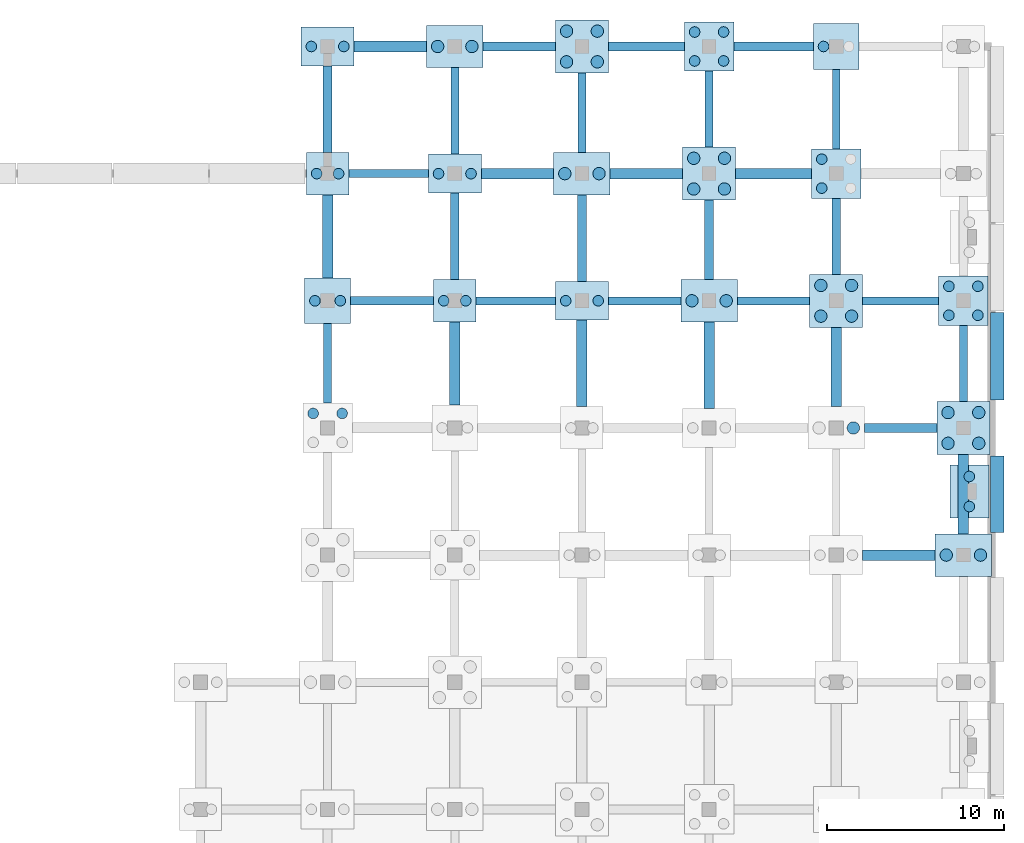
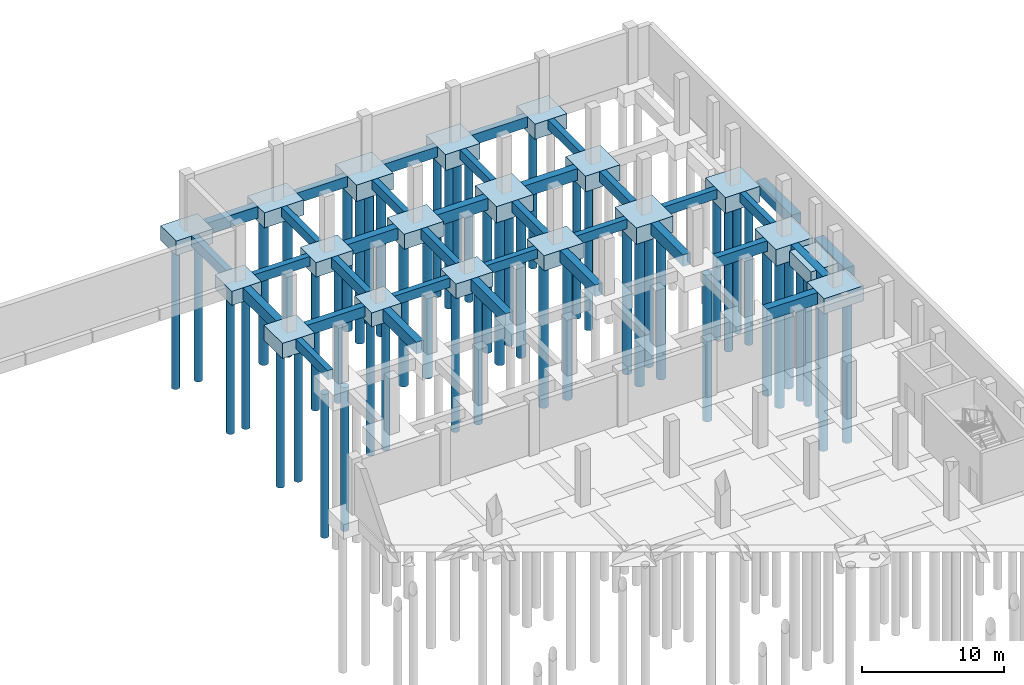
# One storey, part 15 of 38: 53 footings, 52 piles.
"""IFC4 building model written with IfcOpenShell, lengths in metres."""

from ifc_helpers import new_model, si_unit, direction, frame, origin, origin_2d, place, context, subcontext, project, spatial, rectangle, circle, extrude, material, material_profile, profile_set, type_object, element, save


model = new_model("IFC4")

# Units and contexts
model_context = context("Model", 3, precision=1e-05, world=origin(), true_north=direction((0.0, 1.0)))
body_context = subcontext(model_context, "Body", "Model", "MODEL_VIEW")
ifc_project = project(units=[si_unit("LENGTHUNIT", "METRE"), si_unit("AREAUNIT", "SQUARE_METRE"), si_unit("VOLUMEUNIT", "CUBIC_METRE"), si_unit("PLANEANGLEUNIT", "RADIAN"), si_unit("MASSUNIT", "GRAM", prefix="KILO")], contexts=[model_context])

# Site, building, storey
site_placement = place(None, origin())
site = spatial("IfcSite", under=ifc_project, at=site_placement, CompositionType="ELEMENT")
building_placement = place(site_placement, origin())
building = spatial("IfcBuilding", under=site, at=building_placement, Name="Valkovuoma Quantum and Materials Research Institute", CompositionType="ELEMENT")
storey_placement = place(building_placement, frame((0.0, 0.0, -4.800048828125)))
storey = spatial("IfcBuildingStorey", under=building, at=storey_placement, Name="B1", CompositionType="ELEMENT", Elevation=-4.800048828125)

# Footings
ifc_material_1 = material(Name="Concrete C35/45", Category="concrete")
footing_type_1 = type_object("IfcFootingType", Name="Cap-PC-03", PredefinedType="PILE_CAP", material=ifc_material_1)
for number, where, z_axis, x_axis, name in (
    (1, (129.60009765625, 108.0, -1.19970703125), (0.0, 0.0, 1.0), (1.0, 0.0, 0.0), "B1 pile cap 19R"),
    (2, (136.800048828125, 100.800048828125, -1.19970703125), (0.0, 0.0, 1.0), (1.0, 0.0, 0.0), "B1 pile cap 20Q"),
):
    element("IfcFooting", number, at=place(storey_placement, frame(where, z_axis=z_axis, x_axis=x_axis)), inside=storey, type_object=footing_type_1, Name=name, PredefinedType="PILE_CAP", context=body_context, shape_type="SweptSolid", body=[
        extrude(rectangle(XDim=2.39990234375, YDim=2.39990234375, at=origin_2d()), origin(), (0.0, 0.0, 1.0), 1.199951171875),
    ])
ifc_material_2 = material(Name="Concrete C35/45", Category="concrete")
footing_type_2 = type_object("IfcFootingType", Name="Cap-PC-04", PredefinedType="PILE_CAP", material=ifc_material_2)
for number, where, z_axis, x_axis, name in (
    (3, (129.60009765625, 100.800048828125, -1.2998046875), (0.0, 0.0, 1.0), (1.0, 0.0, 0.0), "B1 pile cap 19Q"),
    (4, (158.39990234375, 115.199951171875, -1.2998046875), (0.0, 0.0, 1.0), (1.0, 0.0, 0.0), "B1 pile cap 23S"),
):
    element("IfcFooting", number, at=place(storey_placement, frame(where, z_axis=z_axis, x_axis=x_axis)), inside=storey, type_object=footing_type_2, Name=name, PredefinedType="PILE_CAP", context=body_context, shape_type="SweptSolid", body=[
        extrude(rectangle(XDim=2.60009765625, YDim=2.60009765625, at=origin_2d()), origin(), (0.0, 0.0, 1.0), 1.300048828125),
    ])
ifc_material_3 = material(Name="Concrete C35/45", Category="concrete")
footing_type_3 = type_object("IfcFootingType", Name="Cap-PC-05", PredefinedType="PILE_CAP", material=ifc_material_3)
for number, where, z_axis, x_axis, name in (
    (5, (151.199951171875, 115.199951171875, -1.35009765625), (0.0, 0.0, 1.0), (1.0, 0.0, 0.0), "B1 pile cap 22S"),
    (6, (158.39990234375, 108.0, -1.35009765625), (0.0, 0.0, 1.0), (1.0, 0.0, 0.0), "B1 pile cap 23R"),
    (7, (165.60009765625, 100.800048828125, -1.35009765625), (0.0, 0.0, 1.0), (1.0, 0.0, 0.0), "B1 pile cap 24Q"),
):
    element("IfcFooting", number, at=place(storey_placement, frame(where, z_axis=z_axis, x_axis=x_axis)), inside=storey, type_object=footing_type_3, Name=name, PredefinedType="PILE_CAP", context=body_context, shape_type="SweptSolid", body=[
        extrude(rectangle(XDim=2.800048828125, YDim=2.800048828125, at=origin_2d()), origin(), (0.0, 0.0, 1.0), 1.35009765625),
    ])
ifc_material_4 = material(Name="Concrete C35/45", Category="concrete")
footing_type_4 = type_object("IfcFootingType", Name="Cap-PC-06", PredefinedType="PILE_CAP", material=ifc_material_4)
for number, where, z_axis, x_axis, name in (
    (8, (144.0, 115.199951171875, -1.39990234375), (0.0, 0.0, 1.0), (1.0, 0.0, 0.0), "B1 pile cap 21S"),
    (9, (151.199951171875, 108.0, -1.39990234375), (0.0, 0.0, 1.0), (1.0, 0.0, 0.0), "B1 pile cap 22R"),
    (10, (158.39990234375, 100.800048828125, -1.39990234375), (0.0, 0.0, 1.0), (1.0, 0.0, 0.0), "B1 pile cap 23Q"),
    (11, (165.60009765625, 93.60009765625, -1.39990234375), (0.0, 0.0, 1.0), (1.0, 0.0, 0.0), "B1 pile cap 24P"),
):
    element("IfcFooting", number, at=place(storey_placement, frame(where, z_axis=z_axis, x_axis=x_axis)), inside=storey, type_object=footing_type_4, Name=name, PredefinedType="PILE_CAP", context=body_context, shape_type="SweptSolid", body=[
        extrude(rectangle(XDim=3.0, YDim=3.0, at=origin_2d()), origin(), (0.0, 0.0, 1.0), 1.39990234375),
    ])
ifc_material_5 = material(Name="Concrete C35/45", Category="concrete")
footing_type_5 = type_object("IfcFootingType", Name="Cap-PC-11", PredefinedType="PILE_CAP", material=ifc_material_5)
for number, where, z_axis, x_axis, name in (
    (12, (129.60009765625, 115.199951171875, -1.25), (0.0, 0.0, 1.0), (1.0, 0.0, 0.0), "B1 pile cap 19S"),
    (13, (136.800048828125, 108.0, -1.25), (0.0, 0.0, 1.0), (1.0, 0.0, 0.0), "B1 pile cap 20R"),
    (14, (144.0, 100.800048828125, -1.25), (0.0, 0.0, 1.0), (1.0, 0.0, 0.0), "B1 pile cap 21Q"),
):
    element("IfcFooting", number, at=place(storey_placement, frame(where, z_axis=z_axis, x_axis=x_axis)), inside=storey, type_object=footing_type_5, Name=name, PredefinedType="PILE_CAP", context=body_context, shape_type="SweptSolid", body=[
        extrude(rectangle(XDim=3.0, YDim=2.199951171875, at=origin_2d()), origin(), (0.0, 0.0, 1.0), 1.25),
    ])
footing_1_placement = place(storey_placement, frame((165.93994140625, 90.0, -1.25), z_axis=(0.0, 0.0, 1.0), x_axis=(1.0, 0.0, 0.0)))
element("IfcFooting", 15, at=footing_1_placement, inside=storey, type_object=footing_type_5, Name="B1 pilaster pile cap 04", PredefinedType="PILE_CAP", context=body_context, shape_type="SweptSolid", body=[
    extrude(rectangle(XDim=2.199951171875, YDim=3.0, at=origin_2d()), origin(), (0.0, 0.0, 1.0), 1.25),
])
ifc_material_6 = material(Name="Concrete C35/45", Category="concrete")
footing_type_6 = type_object("IfcFootingType", Name="Cap-PC-12", PredefinedType="PILE_CAP", material=ifc_material_6)
for number, where, z_axis, x_axis, name in (
    (16, (136.800048828125, 115.199951171875, -1.2998046875), (0.0, 0.0, 1.0), (1.0, 0.0, 0.0), "B1 pile cap 20S"),
    (17, (144.0, 108.0, -1.2998046875), (0.0, 0.0, 1.0), (1.0, 0.0, 0.0), "B1 pile cap 21R"),
    (18, (151.199951171875, 100.800048828125, -1.2998046875), (0.0, 0.0, 1.0), (1.0, 0.0, 0.0), "B1 pile cap 22Q"),
    (19, (165.60009765625, 86.39990234375, -1.2998046875), (0.0, 0.0, 1.0), (1.0, 0.0, 0.0), "B1 pile cap 24N"),
):
    element("IfcFooting", number, at=place(storey_placement, frame(where, z_axis=z_axis, x_axis=x_axis)), inside=storey, type_object=footing_type_6, Name=name, PredefinedType="PILE_CAP", context=body_context, shape_type="SweptSolid", body=[
        extrude(rectangle(XDim=3.199951171875, YDim=2.39990234375, at=origin_2d()), origin(), (0.0, 0.0, 1.0), 1.300048828125),
    ])
ifc_material_7 = material(Name="Concrete C35/45", Category="concrete")
footing_type_7 = type_object("IfcFootingType", Name="GndBeam-FB-01", PredefinedType="FOOTING_BEAM", material=ifc_material_7)
for number, where, z_axis, x_axis, name in (
    (20, (129.60009765625, 97.25, -0.7998046875), (0.0, 0.0, 1.0), (0.0, 1.0, 0.0), "B1 ground tie beam Y-300"),
    (21, (133.050048828125, 108.0, -0.7998046875), (0.0, 0.0, 1.0), (1.0, 0.0, 0.0), "B1 ground tie beam X-303"),
    (22, (140.25, 100.800048828125, -0.7998046875), (0.0, 0.0, 1.0), (1.0, 0.0, 0.0), "B1 ground tie beam X-327"),
):
    element("IfcFooting", number, at=place(storey_placement, frame(where, z_axis=z_axis, x_axis=x_axis)), inside=storey, type_object=footing_type_7, Name=name, PredefinedType="FOOTING_BEAM", context=body_context, shape_type="SweptSolid", body=[
        extrude(rectangle(XDim=4.5, YDim=0.449951171875, at=origin_2d()), origin(), (0.0, 0.0, 1.0), 0.800048828125),
    ])
footing_2_placement = place(storey_placement, frame((136.800048828125, 111.550048828125, -0.7998046875), z_axis=(0.0, 0.0, 1.0), x_axis=(0.0, 1.0, 0.0)))
element("IfcFooting", 23, at=footing_2_placement, inside=storey, type_object=footing_type_7, Name="B1 ground tie beam Y-330", PredefinedType="FOOTING_BEAM", context=body_context, shape_type="SweptSolid", body=[
    extrude(rectangle(XDim=4.89990234375, YDim=0.449951171875, at=origin_2d()), origin(), (0.0, 0.0, 1.0), 0.800048828125),
])
footing_3_placement = place(storey_placement, frame((147.550048828125, 100.800048828125, -0.7998046875), z_axis=(0.0, 0.0, 1.0), x_axis=(1.0, 0.0, 0.0)))
element("IfcFooting", 24, at=footing_3_placement, inside=storey, type_object=footing_type_7, Name="B1 ground tie beam X-360", PredefinedType="FOOTING_BEAM", context=body_context, shape_type="SweptSolid", body=[
    extrude(rectangle(XDim=4.10009765625, YDim=0.449951171875, at=origin_2d()), origin(), (0.0, 0.0, 1.0), 0.800048828125),
])
footing_4_placement = place(storey_placement, frame((144.0, 111.449951171875, -0.7998046875), z_axis=(0.0, 0.0, 1.0), x_axis=(0.0, 1.0, 0.0)))
element("IfcFooting", 25, at=footing_4_placement, inside=storey, type_object=footing_type_7, Name="B1 ground tie beam Y-363", PredefinedType="FOOTING_BEAM", context=body_context, shape_type="SweptSolid", body=[
    extrude(rectangle(XDim=4.5, YDim=0.449951171875, at=origin_2d()), origin(), (0.0, 0.0, 1.0), 0.800048828125),
])
footing_5_placement = place(storey_placement, frame((154.85009765625, 100.800048828125, -0.7998046875), z_axis=(0.0, 0.0, 1.0), x_axis=(1.0, 0.0, 0.0)))
element("IfcFooting", 26, at=footing_5_placement, inside=storey, type_object=footing_type_7, Name="B1 ground tie beam X-393", PredefinedType="FOOTING_BEAM", context=body_context, shape_type="SweptSolid", body=[
    extrude(rectangle(XDim=4.10009765625, YDim=0.449951171875, at=origin_2d()), origin(), (0.0, 0.0, 1.0), 0.800048828125),
])
for number, where, z_axis, x_axis, name in (
    (27, (151.199951171875, 111.64990234375, -0.7998046875), (0.0, 0.0, 1.0), (0.0, 1.0, 0.0), "B1 ground tie beam Y-396"),
    (28, (162.050048828125, 100.800048828125, -0.7998046875), (0.0, 0.0, 1.0), (1.0, 0.0, 0.0), "B1 ground tie beam X-426"),
):
    element("IfcFooting", number, at=place(storey_placement, frame(where, z_axis=z_axis, x_axis=x_axis)), inside=storey, type_object=footing_type_7, Name=name, PredefinedType="FOOTING_BEAM", context=body_context, shape_type="SweptSolid", body=[
        extrude(rectangle(XDim=4.300048828125, YDim=0.449951171875, at=origin_2d()), origin(), (0.0, 0.0, 1.0), 0.800048828125),
    ])
footing_6_placement = place(storey_placement, frame((158.39990234375, 111.64990234375, -0.7998046875), z_axis=(0.0, 0.0, 1.0), x_axis=(0.0, 1.0, 0.0)))
element("IfcFooting", 29, at=footing_6_placement, inside=storey, type_object=footing_type_7, Name="B1 ground tie beam Y-429", PredefinedType="FOOTING_BEAM", context=body_context, shape_type="SweptSolid", body=[
    extrude(rectangle(XDim=4.5, YDim=0.449951171875, at=origin_2d()), origin(), (0.0, 0.0, 1.0), 0.800048828125),
])
footing_7_placement = place(storey_placement, frame((165.60009765625, 97.25, -0.7998046875), z_axis=(0.0, 0.0, 1.0), x_axis=(0.0, 1.0, 0.0)))
element("IfcFooting", 30, at=footing_7_placement, inside=storey, type_object=footing_type_7, Name="B1 ground tie beam Y-444", PredefinedType="FOOTING_BEAM", context=body_context, shape_type="SweptSolid", body=[
    extrude(rectangle(XDim=4.300048828125, YDim=0.449951171875, at=origin_2d()), origin(), (0.0, 0.0, 1.0), 0.800048828125),
])
ifc_material_8 = material(Name="Concrete C35/45", Category="concrete")
footing_type_8 = type_object("IfcFootingType", Name="GndBeam-FB-02", PredefinedType="FOOTING_BEAM", material=ifc_material_8)
footing_8_placement = place(storey_placement, frame((133.25, 100.800048828125, -0.89990234375), z_axis=(0.0, 0.0, 1.0), x_axis=(1.0, 0.0, 0.0)))
element("IfcFooting", 31, at=footing_8_placement, inside=storey, type_object=footing_type_8, Name="B1 ground tie beam X-301", PredefinedType="FOOTING_BEAM", context=body_context, shape_type="SweptSolid", body=[
    extrude(rectangle(XDim=4.699951171875, YDim=0.5, at=origin_2d()), origin(), (0.0, 0.0, 1.0), 0.89990234375),
])
for number, where, z_axis, x_axis, name in (
    (32, (129.60009765625, 111.64990234375, -0.89990234375), (0.0, 0.0, 1.0), (0.0, 1.0, 0.0), "B1 ground tie beam Y-304"),
    (33, (136.800048828125, 104.449951171875, -0.89990234375), (0.0, 0.0, 1.0), (0.0, 1.0, 0.0), "B1 ground tie beam Y-328"),
):
    element("IfcFooting", number, at=place(storey_placement, frame(where, z_axis=z_axis, x_axis=x_axis)), inside=storey, type_object=footing_type_8, Name=name, PredefinedType="FOOTING_BEAM", context=body_context, shape_type="SweptSolid", body=[
        extrude(rectangle(XDim=4.89990234375, YDim=0.5, at=origin_2d()), origin(), (0.0, 0.0, 1.0), 0.89990234375),
    ])
footing_9_placement = place(storey_placement, frame((140.449951171875, 115.199951171875, -0.89990234375), z_axis=(0.0, 0.0, 1.0), x_axis=(1.0, 0.0, 0.0)))
element("IfcFooting", 34, at=footing_9_placement, inside=storey, type_object=footing_type_8, Name="B1 ground tie beam X-331", PredefinedType="FOOTING_BEAM", context=body_context, shape_type="SweptSolid", body=[
    extrude(rectangle(XDim=4.10009765625, YDim=0.5, at=origin_2d()), origin(), (0.0, 0.0, 1.0), 0.89990234375),
])
footing_10_placement = place(storey_placement, frame((144.0, 104.35009765625, -0.89990234375), z_axis=(0.0, 0.0, 1.0), x_axis=(0.0, 1.0, 0.0)))
element("IfcFooting", 35, at=footing_10_placement, inside=storey, type_object=footing_type_8, Name="B1 ground tie beam Y-361", PredefinedType="FOOTING_BEAM", context=body_context, shape_type="SweptSolid", body=[
    extrude(rectangle(XDim=4.89990234375, YDim=0.5, at=origin_2d()), origin(), (0.0, 0.0, 1.0), 0.89990234375),
])
footing_11_placement = place(storey_placement, frame((147.64990234375, 115.199951171875, -0.89990234375), z_axis=(0.0, 0.0, 1.0), x_axis=(1.0, 0.0, 0.0)))
element("IfcFooting", 36, at=footing_11_placement, inside=storey, type_object=footing_type_8, Name="B1 ground tie beam X-364", PredefinedType="FOOTING_BEAM", context=body_context, shape_type="SweptSolid", body=[
    extrude(rectangle(XDim=4.300048828125, YDim=0.5, at=origin_2d()), origin(), (0.0, 0.0, 1.0), 0.89990234375),
])
for number, where, z_axis, x_axis, name in (
    (37, (151.199951171875, 104.25, -0.89990234375), (0.0, 0.0, 1.0), (0.0, 1.0, 0.0), "B1 ground tie beam Y-394"),
    (38, (154.85009765625, 115.199951171875, -0.89990234375), (0.0, 0.0, 1.0), (1.0, 0.0, 0.0), "B1 ground tie beam X-397"),
):
    element("IfcFooting", number, at=place(storey_placement, frame(where, z_axis=z_axis, x_axis=x_axis)), inside=storey, type_object=footing_type_8, Name=name, PredefinedType="FOOTING_BEAM", context=body_context, shape_type="SweptSolid", body=[
        extrude(rectangle(XDim=4.5, YDim=0.5, at=origin_2d()), origin(), (0.0, 0.0, 1.0), 0.89990234375),
    ])
footing_12_placement = place(storey_placement, frame((162.050048828125, 93.60009765625, -0.89990234375), z_axis=(0.0, 0.0, 1.0), x_axis=(1.0, 0.0, 0.0)))
element("IfcFooting", 39, at=footing_12_placement, inside=storey, type_object=footing_type_8, Name="B1 ground tie beam X-424", PredefinedType="FOOTING_BEAM", context=body_context, shape_type="SweptSolid", body=[
    extrude(rectangle(XDim=4.10009765625, YDim=0.5, at=origin_2d()), origin(), (0.0, 0.0, 1.0), 0.89990234375),
])
footing_13_placement = place(storey_placement, frame((158.39990234375, 104.449951171875, -0.89990234375), z_axis=(0.0, 0.0, 1.0), x_axis=(0.0, 1.0, 0.0)))
element("IfcFooting", 40, at=footing_13_placement, inside=storey, type_object=footing_type_8, Name="B1 ground tie beam Y-427", PredefinedType="FOOTING_BEAM", context=body_context, shape_type="SweptSolid", body=[
    extrude(rectangle(XDim=4.300048828125, YDim=0.5, at=origin_2d()), origin(), (0.0, 0.0, 1.0), 0.89990234375),
])
ifc_material_9 = material(Name="Concrete C35/45", Category="concrete")
footing_type_9 = type_object("IfcFootingType", Name="GndBeam-FB-03", PredefinedType="FOOTING_BEAM", material=ifc_material_9)
footing_14_placement = place(storey_placement, frame((129.60009765625, 104.449951171875, -1.0), z_axis=(0.0, 0.0, 1.0), x_axis=(0.0, 1.0, 0.0)))
element("IfcFooting", 41, at=footing_14_placement, inside=storey, type_object=footing_type_9, Name="B1 ground tie beam Y-302", PredefinedType="FOOTING_BEAM", context=body_context, shape_type="SweptSolid", body=[
    extrude(rectangle(XDim=4.699951171875, YDim=0.60009765625, at=origin_2d()), origin(), (0.0, 0.0, 1.0), 1.0),
])
footing_15_placement = place(storey_placement, frame((133.14990234375, 115.199951171875, -1.0), z_axis=(0.0, 0.0, 1.0), x_axis=(1.0, 0.0, 0.0)))
element("IfcFooting", 42, at=footing_15_placement, inside=storey, type_object=footing_type_9, Name="B1 ground tie beam X-305", PredefinedType="FOOTING_BEAM", context=body_context, shape_type="SweptSolid", body=[
    extrude(rectangle(XDim=4.10009765625, YDim=0.60009765625, at=origin_2d()), origin(), (0.0, 0.0, 1.0), 1.0),
])
footing_16_placement = place(storey_placement, frame((136.800048828125, 97.25, -1.0), z_axis=(0.0, 0.0, 1.0), x_axis=(0.0, 1.0, 0.0)))
element("IfcFooting", 43, at=footing_16_placement, inside=storey, type_object=footing_type_9, Name="B1 ground tie beam Y-326", PredefinedType="FOOTING_BEAM", context=body_context, shape_type="SweptSolid", body=[
    extrude(rectangle(XDim=4.699951171875, YDim=0.60009765625, at=origin_2d()), origin(), (0.0, 0.0, 1.0), 1.0),
])
footing_17_placement = place(storey_placement, frame((140.35009765625, 108.0, -1.0), z_axis=(0.0, 0.0, 1.0), x_axis=(1.0, 0.0, 0.0)))
element("IfcFooting", 44, at=footing_17_placement, inside=storey, type_object=footing_type_9, Name="B1 ground tie beam X-329", PredefinedType="FOOTING_BEAM", context=body_context, shape_type="SweptSolid", body=[
    extrude(rectangle(XDim=4.10009765625, YDim=0.60009765625, at=origin_2d()), origin(), (0.0, 0.0, 1.0), 1.0),
])
footing_18_placement = place(storey_placement, frame((144.0, 97.25, -1.0), z_axis=(0.0, 0.0, 1.0), x_axis=(0.0, 1.0, 0.0)))
element("IfcFooting", 45, at=footing_18_placement, inside=storey, type_object=footing_type_9, Name="B1 ground tie beam Y-359", PredefinedType="FOOTING_BEAM", context=body_context, shape_type="SweptSolid", body=[
    extrude(rectangle(XDim=4.89990234375, YDim=0.60009765625, at=origin_2d()), origin(), (0.0, 0.0, 1.0), 1.0),
])
footing_19_placement = place(storey_placement, frame((147.64990234375, 108.0, -1.0), z_axis=(0.0, 0.0, 1.0), x_axis=(1.0, 0.0, 0.0)))
element("IfcFooting", 46, at=footing_19_placement, inside=storey, type_object=footing_type_9, Name="B1 ground tie beam X-362", PredefinedType="FOOTING_BEAM", context=body_context, shape_type="SweptSolid", body=[
    extrude(rectangle(XDim=4.10009765625, YDim=0.60009765625, at=origin_2d()), origin(), (0.0, 0.0, 1.0), 1.0),
])
footing_20_placement = place(storey_placement, frame((151.199951171875, 97.14990234375, -1.0), z_axis=(0.0, 0.0, 1.0), x_axis=(0.0, 1.0, 0.0)))
element("IfcFooting", 47, at=footing_20_placement, inside=storey, type_object=footing_type_9, Name="B1 ground tie beam Y-392", PredefinedType="FOOTING_BEAM", context=body_context, shape_type="SweptSolid", body=[
    extrude(rectangle(XDim=4.89990234375, YDim=0.60009765625, at=origin_2d()), origin(), (0.0, 0.0, 1.0), 1.0),
])
footing_21_placement = place(storey_placement, frame((154.85009765625, 108.0, -1.0), z_axis=(0.0, 0.0, 1.0), x_axis=(1.0, 0.0, 0.0)))
element("IfcFooting", 48, at=footing_21_placement, inside=storey, type_object=footing_type_9, Name="B1 ground tie beam X-395", PredefinedType="FOOTING_BEAM", context=body_context, shape_type="SweptSolid", body=[
    extrude(rectangle(XDim=4.300048828125, YDim=0.60009765625, at=origin_2d()), origin(), (0.0, 0.0, 1.0), 1.0),
])
footing_22_placement = place(storey_placement, frame((161.949951171875, 86.39990234375, -1.0), z_axis=(0.0, 0.0, 1.0), x_axis=(1.0, 0.0, 0.0)))
element("IfcFooting", 49, at=footing_22_placement, inside=storey, type_object=footing_type_9, Name="B1 ground tie beam X-422", PredefinedType="FOOTING_BEAM", context=body_context, shape_type="SweptSolid", body=[
    extrude(rectangle(XDim=4.10009765625, YDim=0.60009765625, at=origin_2d()), origin(), (0.0, 0.0, 1.0), 1.0),
])
for number, where, z_axis, x_axis, name in (
    (50, (158.39990234375, 97.050048828125, -1.0), (0.0, 0.0, 1.0), (0.0, 1.0, 0.0), "B1 ground tie beam Y-425"),
    (51, (165.60009765625, 89.85009765625, -1.0), (0.0, 0.0, 1.0), (0.0, 1.0, 0.0), "B1 ground tie beam Y-443"),
):
    element("IfcFooting", number, at=place(storey_placement, frame(where, z_axis=z_axis, x_axis=x_axis)), inside=storey, type_object=footing_type_9, Name=name, PredefinedType="FOOTING_BEAM", context=body_context, shape_type="SweptSolid", body=[
        extrude(rectangle(XDim=4.5, YDim=0.60009765625, at=origin_2d()), origin(), (0.0, 0.0, 1.0), 1.0),
    ])
ifc_material_10 = material(Name="Concrete C35/45", Category="concrete")
footing_type_10 = type_object("IfcFootingType", Name="Pad-PF-04", PredefinedType="PAD_FOOTING", material=ifc_material_10)
footing_23_placement = place(storey_placement, frame((167.52001953125, 89.85009765625, -1.0), z_axis=(0.0, 0.0, 1.0), x_axis=(0.0, 1.0, 0.0)))
element("IfcFooting", 52, at=footing_23_placement, inside=storey, type_object=footing_type_10, Name="B1 retaining wall pad footing 029", PredefinedType="PAD_FOOTING", context=body_context, shape_type="SweptSolid", body=[
    extrude(rectangle(XDim=4.340087890625, YDim=0.760009765625, at=origin_2d()), origin(), (0.0, 0.0, 1.0), 1.0),
])
footing_24_placement = place(storey_placement, frame((167.52001953125, 97.66259765625, -1.0), z_axis=(0.0, 0.0, 1.0), x_axis=(0.0, 1.0, 0.0)))
element("IfcFooting", 53, at=footing_24_placement, inside=storey, type_object=footing_type_10, Name="B1 retaining wall pad footing 030", PredefinedType="PAD_FOOTING", context=body_context, shape_type="SweptSolid", body=[
    extrude(rectangle(XDim=4.965087890625, YDim=0.760009765625, at=origin_2d()), origin(), (0.0, 0.0, 1.0), 1.0),
])

# Piles
ifc_material_11 = material(Name="Concrete C40/50", Category="concrete")
ifc_material_profile_1 = material_profile(ifc_material_11, circle(Radius=0.300048828125, at=origin_2d()), Name="Concrete C40/50")
ifc_profile_set_1 = profile_set([ifc_material_profile_1], Name="Concrete C40/50")
pile_type_1 = type_object("IfcPileType", Name="Pile-PL-B600", PredefinedType="BORED", material=ifc_profile_set_1)
for number, where, z_axis, x_axis, name in (
    (54, (128.780029296875, 94.419921875, -1.25), (0.0, 0.0, -1.0), (1.0, 0.0, 0.0), "B1 pile 19P-3"),
    (55, (130.419921875, 94.419921875, -1.25), (0.0, 0.0, -1.0), (1.0, 0.0, 0.0), "B1 pile 19P-4"),
):
    element("IfcPile", number, at=place(storey_placement, frame(where, z_axis=z_axis, x_axis=x_axis)), inside=storey, type_object=pile_type_1, Name=name, PredefinedType="BORED", context=body_context, shape_type="SweptSolid", body=[
        extrude(circle(Radius=0.300048828125, at=origin_2d()), origin(), (0.0, 0.0, 1.0), 12.35009765625),
    ])
for number, where, z_axis, x_axis, name in (
    (56, (128.8798828125, 100.800048828125, -1.199951171875), (0.0, 0.0, -1.0), (1.0, 0.0, 0.0), "B1 pile 19Q-1"),
    (57, (130.320068359375, 100.800048828125, -1.199951171875), (0.0, 0.0, -1.0), (1.0, 0.0, 0.0), "B1 pile 19Q-2"),
):
    element("IfcPile", number, at=place(storey_placement, frame(where, z_axis=z_axis, x_axis=x_axis)), inside=storey, type_object=pile_type_1, Name=name, PredefinedType="BORED", context=body_context, shape_type="SweptSolid", body=[
        extrude(circle(Radius=0.300048828125, at=origin_2d()), origin(), (0.0, 0.0, 1.0), 12.0),
    ])
for number, where, z_axis, x_axis, name in (
    (58, (128.97998046875, 108.0, -1.099853515625), (0.0, 0.0, -1.0), (1.0, 0.0, 0.0), "B1 pile 19R-1"),
    (59, (130.219970703125, 108.0, -1.099853515625), (0.0, 0.0, -1.0), (1.0, 0.0, 0.0), "B1 pile 19R-2"),
):
    element("IfcPile", number, at=place(storey_placement, frame(where, z_axis=z_axis, x_axis=x_axis)), inside=storey, type_object=pile_type_1, Name=name, PredefinedType="BORED", context=body_context, shape_type="SweptSolid", body=[
        extrude(circle(Radius=0.300048828125, at=origin_2d()), origin(), (0.0, 0.0, 1.0), 11.89990234375),
    ])
for number, where, z_axis, x_axis, name in (
    (60, (128.679931640625, 115.199951171875, -1.14990234375), (0.0, 0.0, -1.0), (1.0, 0.0, 0.0), "B1 pile 19S-1"),
    (61, (130.52001953125, 115.199951171875, -1.14990234375), (0.0, 0.0, -1.0), (1.0, 0.0, 0.0), "B1 pile 19S-2"),
):
    element("IfcPile", number, at=place(storey_placement, frame(where, z_axis=z_axis, x_axis=x_axis)), inside=storey, type_object=pile_type_1, Name=name, PredefinedType="BORED", context=body_context, shape_type="SweptSolid", body=[
        extrude(circle(Radius=0.300048828125, at=origin_2d()), origin(), (0.0, 0.0, 1.0), 12.25),
    ])
for number, where, z_axis, x_axis, name in (
    (62, (136.179931640625, 100.800048828125, -1.099853515625), (0.0, 0.0, -1.0), (1.0, 0.0, 0.0), "B1 pile 20Q-1"),
    (63, (137.419921875, 100.800048828125, -1.099853515625), (0.0, 0.0, -1.0), (1.0, 0.0, 0.0), "B1 pile 20Q-2"),
):
    element("IfcPile", number, at=place(storey_placement, frame(where, z_axis=z_axis, x_axis=x_axis)), inside=storey, type_object=pile_type_1, Name=name, PredefinedType="BORED", context=body_context, shape_type="SweptSolid", body=[
        extrude(circle(Radius=0.300048828125, at=origin_2d()), origin(), (0.0, 0.0, 1.0), 11.89990234375),
    ])
for number, where, z_axis, x_axis, name in (
    (64, (135.8798828125, 108.0, -1.14990234375), (0.0, 0.0, -1.0), (1.0, 0.0, 0.0), "B1 pile 20R-1"),
    (65, (137.719970703125, 108.0, -1.14990234375), (0.0, 0.0, -1.0), (1.0, 0.0, 0.0), "B1 pile 20R-2"),
    (66, (143.080078125, 100.800048828125, -1.14990234375), (0.0, 0.0, -1.0), (1.0, 0.0, 0.0), "B1 pile 21Q-1"),
    (67, (144.919921875, 100.800048828125, -1.14990234375), (0.0, 0.0, -1.0), (1.0, 0.0, 0.0), "B1 pile 21Q-2"),
):
    element("IfcPile", number, at=place(storey_placement, frame(where, z_axis=z_axis, x_axis=x_axis)), inside=storey, type_object=pile_type_1, Name=name, PredefinedType="BORED", context=body_context, shape_type="SweptSolid", body=[
        extrude(circle(Radius=0.300048828125, at=origin_2d()), origin(), (0.0, 0.0, 1.0), 12.25),
    ])
for number, where, z_axis, x_axis, name in (
    (68, (150.3798828125, 114.3798828125, -1.25), (0.0, 0.0, -1.0), (1.0, 0.0, 0.0), "B1 pile 22S-1"),
    (69, (152.02001953125, 114.3798828125, -1.25), (0.0, 0.0, -1.0), (1.0, 0.0, 0.0), "B1 pile 22S-2"),
    (70, (150.3798828125, 116.02001953125, -1.25), (0.0, 0.0, -1.0), (1.0, 0.0, 0.0), "B1 pile 22S-3"),
    (71, (152.02001953125, 116.02001953125, -1.25), (0.0, 0.0, -1.0), (1.0, 0.0, 0.0), "B1 pile 22S-4"),
    (72, (157.580078125, 107.179931640625, -1.25), (0.0, 0.0, -1.0), (1.0, 0.0, 0.0), "B1 pile 23R-1"),
    (73, (157.580078125, 108.820068359375, -1.25), (0.0, 0.0, -1.0), (1.0, 0.0, 0.0), "B1 pile 23R-3"),
):
    element("IfcPile", number, at=place(storey_placement, frame(where, z_axis=z_axis, x_axis=x_axis)), inside=storey, type_object=pile_type_1, Name=name, PredefinedType="BORED", context=body_context, shape_type="SweptSolid", body=[
        extrude(circle(Radius=0.300048828125, at=origin_2d()), origin(), (0.0, 0.0, 1.0), 12.35009765625),
    ])
pile_1_placement = place(storey_placement, frame((157.679931640625, 115.199951171875, -1.199951171875), z_axis=(0.0, 0.0, -1.0), x_axis=(1.0, 0.0, 0.0)))
element("IfcPile", 74, at=pile_1_placement, inside=storey, type_object=pile_type_1, Name="B1 pile 23S-1", PredefinedType="BORED", context=body_context, shape_type="SweptSolid", body=[
    extrude(circle(Radius=0.300048828125, at=origin_2d()), origin(), (0.0, 0.0, 1.0), 12.0),
])
for number, where, z_axis, x_axis, name in (
    (75, (164.780029296875, 99.97998046875, -1.25), (0.0, 0.0, -1.0), (1.0, 0.0, 0.0), "B1 pile 24Q-1"),
    (76, (166.419921875, 99.97998046875, -1.25), (0.0, 0.0, -1.0), (1.0, 0.0, 0.0), "B1 pile 24Q-2"),
    (77, (164.780029296875, 101.6201171875, -1.25), (0.0, 0.0, -1.0), (1.0, 0.0, 0.0), "B1 pile 24Q-3"),
    (78, (166.419921875, 101.6201171875, -1.25), (0.0, 0.0, -1.0), (1.0, 0.0, 0.0), "B1 pile 24Q-4"),
):
    element("IfcPile", number, at=place(storey_placement, frame(where, z_axis=z_axis, x_axis=x_axis)), inside=storey, type_object=pile_type_1, Name=name, PredefinedType="BORED", context=body_context, shape_type="SweptSolid", body=[
        extrude(circle(Radius=0.300048828125, at=origin_2d()), origin(), (0.0, 0.0, 1.0), 12.35009765625),
    ])
for number, where, z_axis, x_axis, name in (
    (79, (165.93994140625, 89.14990234375, -1.14990234375), (0.0, 0.0, -1.0), (1.0, 0.0, 0.0), "B1 pilaster pile 04-1"),
    (80, (165.93994140625, 90.85009765625, -1.14990234375), (0.0, 0.0, -1.0), (1.0, 0.0, 0.0), "B1 pilaster pile 04-2"),
):
    element("IfcPile", number, at=place(storey_placement, frame(where, z_axis=z_axis, x_axis=x_axis)), inside=storey, type_object=pile_type_1, Name=name, PredefinedType="BORED", context=body_context, shape_type="SweptSolid", body=[
        extrude(circle(Radius=0.300048828125, at=origin_2d()), origin(), (0.0, 0.0, 1.0), 12.0),
    ])
ifc_material_12 = material(Name="Concrete C40/50", Category="concrete")
ifc_material_profile_2 = material_profile(ifc_material_12, circle(Radius=0.35009765625, at=origin_2d()), Name="Concrete C40/50")
ifc_profile_set_2 = profile_set([ifc_material_profile_2], Name="Concrete C40/50")
pile_type_2 = type_object("IfcPileType", Name="Pile-PL-B700", PredefinedType="BORED", material=ifc_profile_set_2)
for number, where, z_axis, x_axis, name in (
    (81, (135.830078125, 115.199951171875, -1.199951171875), (0.0, 0.0, -1.0), (1.0, 0.0, 0.0), "B1 pile 20S-1"),
    (82, (137.77001953125, 115.199951171875, -1.199951171875), (0.0, 0.0, -1.0), (1.0, 0.0, 0.0), "B1 pile 20S-2"),
    (83, (143.030029296875, 108.0, -1.199951171875), (0.0, 0.0, -1.0), (1.0, 0.0, 0.0), "B1 pile 21R-1"),
    (84, (144.969970703125, 108.0, -1.199951171875), (0.0, 0.0, -1.0), (1.0, 0.0, 0.0), "B1 pile 21R-2"),
):
    element("IfcPile", number, at=place(storey_placement, frame(where, z_axis=z_axis, x_axis=x_axis)), inside=storey, type_object=pile_type_2, Name=name, PredefinedType="BORED", context=body_context, shape_type="SweptSolid", body=[
        extrude(circle(Radius=0.35009765625, at=origin_2d()), origin(), (0.0, 0.0, 1.0), 12.60009765625),
    ])
for number, where, z_axis, x_axis, name in (
    (85, (143.1298828125, 114.330078125, -1.300048828125), (0.0, 0.0, -1.0), (1.0, 0.0, 0.0), "B1 pile 21S-1"),
    (86, (144.8701171875, 114.330078125, -1.300048828125), (0.0, 0.0, -1.0), (1.0, 0.0, 0.0), "B1 pile 21S-2"),
    (87, (143.1298828125, 116.070068359375, -1.300048828125), (0.0, 0.0, -1.0), (1.0, 0.0, 0.0), "B1 pile 21S-3"),
    (88, (144.8701171875, 116.070068359375, -1.300048828125), (0.0, 0.0, -1.0), (1.0, 0.0, 0.0), "B1 pile 21S-4"),
):
    element("IfcPile", number, at=place(storey_placement, frame(where, z_axis=z_axis, x_axis=x_axis)), inside=storey, type_object=pile_type_2, Name=name, PredefinedType="BORED", context=body_context, shape_type="SweptSolid", body=[
        extrude(circle(Radius=0.35009765625, at=origin_2d()), origin(), (0.0, 0.0, 1.0), 12.699951171875),
    ])
for number, where, z_axis, x_axis, name in (
    (89, (150.22998046875, 100.800048828125, -1.199951171875), (0.0, 0.0, -1.0), (1.0, 0.0, 0.0), "B1 pile 22Q-1"),
    (90, (152.169921875, 100.800048828125, -1.199951171875), (0.0, 0.0, -1.0), (1.0, 0.0, 0.0), "B1 pile 22Q-2"),
):
    element("IfcPile", number, at=place(storey_placement, frame(where, z_axis=z_axis, x_axis=x_axis)), inside=storey, type_object=pile_type_2, Name=name, PredefinedType="BORED", context=body_context, shape_type="SweptSolid", body=[
        extrude(circle(Radius=0.35009765625, at=origin_2d()), origin(), (0.0, 0.0, 1.0), 12.60009765625),
    ])
for number, where, z_axis, x_axis, name in (
    (91, (150.330078125, 107.1298828125, -1.300048828125), (0.0, 0.0, -1.0), (1.0, 0.0, 0.0), "B1 pile 22R-1"),
    (92, (152.070068359375, 107.1298828125, -1.300048828125), (0.0, 0.0, -1.0), (1.0, 0.0, 0.0), "B1 pile 22R-2"),
    (93, (150.330078125, 108.8701171875, -1.300048828125), (0.0, 0.0, -1.0), (1.0, 0.0, 0.0), "B1 pile 22R-3"),
    (94, (152.070068359375, 108.8701171875, -1.300048828125), (0.0, 0.0, -1.0), (1.0, 0.0, 0.0), "B1 pile 22R-4"),
):
    element("IfcPile", number, at=place(storey_placement, frame(where, z_axis=z_axis, x_axis=x_axis)), inside=storey, type_object=pile_type_2, Name=name, PredefinedType="BORED", context=body_context, shape_type="SweptSolid", body=[
        extrude(circle(Radius=0.35009765625, at=origin_2d()), origin(), (0.0, 0.0, 1.0), 12.699951171875),
    ])
pile_2_placement = place(storey_placement, frame((159.3701171875, 93.60009765625, -1.199951171875), z_axis=(0.0, 0.0, -1.0), x_axis=(1.0, 0.0, 0.0)))
element("IfcPile", 95, at=pile_2_placement, inside=storey, type_object=pile_type_2, Name="B1 pile 23P-2", PredefinedType="BORED", context=body_context, shape_type="SweptSolid", body=[
    extrude(circle(Radius=0.35009765625, at=origin_2d()), origin(), (0.0, 0.0, 1.0), 12.60009765625),
])
for number, where, z_axis, x_axis, name in (
    (96, (157.530029296875, 99.929931640625, -1.300048828125), (0.0, 0.0, -1.0), (1.0, 0.0, 0.0), "B1 pile 23Q-1"),
    (97, (159.27001953125, 99.929931640625, -1.300048828125), (0.0, 0.0, -1.0), (1.0, 0.0, 0.0), "B1 pile 23Q-2"),
    (98, (157.530029296875, 101.669921875, -1.300048828125), (0.0, 0.0, -1.0), (1.0, 0.0, 0.0), "B1 pile 23Q-3"),
    (99, (159.27001953125, 101.669921875, -1.300048828125), (0.0, 0.0, -1.0), (1.0, 0.0, 0.0), "B1 pile 23Q-4"),
):
    element("IfcPile", number, at=place(storey_placement, frame(where, z_axis=z_axis, x_axis=x_axis)), inside=storey, type_object=pile_type_2, Name=name, PredefinedType="BORED", context=body_context, shape_type="SweptSolid", body=[
        extrude(circle(Radius=0.35009765625, at=origin_2d()), origin(), (0.0, 0.0, 1.0), 12.699951171875),
    ])
for number, where, z_axis, x_axis, name in (
    (100, (164.6298828125, 86.39990234375, -1.199951171875), (0.0, 0.0, -1.0), (1.0, 0.0, 0.0), "B1 pile 24N-1"),
    (101, (166.570068359375, 86.39990234375, -1.199951171875), (0.0, 0.0, -1.0), (1.0, 0.0, 0.0), "B1 pile 24N-2"),
):
    element("IfcPile", number, at=place(storey_placement, frame(where, z_axis=z_axis, x_axis=x_axis)), inside=storey, type_object=pile_type_2, Name=name, PredefinedType="BORED", context=body_context, shape_type="SweptSolid", body=[
        extrude(circle(Radius=0.35009765625, at=origin_2d()), origin(), (0.0, 0.0, 1.0), 12.60009765625),
    ])
for number, where, z_axis, x_axis, name in (
    (102, (164.72998046875, 92.72998046875, -1.300048828125), (0.0, 0.0, -1.0), (1.0, 0.0, 0.0), "B1 pile 24P-1"),
    (103, (166.469970703125, 92.72998046875, -1.300048828125), (0.0, 0.0, -1.0), (1.0, 0.0, 0.0), "B1 pile 24P-2"),
    (104, (164.72998046875, 94.469970703125, -1.300048828125), (0.0, 0.0, -1.0), (1.0, 0.0, 0.0), "B1 pile 24P-3"),
    (105, (166.469970703125, 94.469970703125, -1.300048828125), (0.0, 0.0, -1.0), (1.0, 0.0, 0.0), "B1 pile 24P-4"),
):
    element("IfcPile", number, at=place(storey_placement, frame(where, z_axis=z_axis, x_axis=x_axis)), inside=storey, type_object=pile_type_2, Name=name, PredefinedType="BORED", context=body_context, shape_type="SweptSolid", body=[
        extrude(circle(Radius=0.35009765625, at=origin_2d()), origin(), (0.0, 0.0, 1.0), 12.699951171875),
    ])

save(model, "model.ifc")
